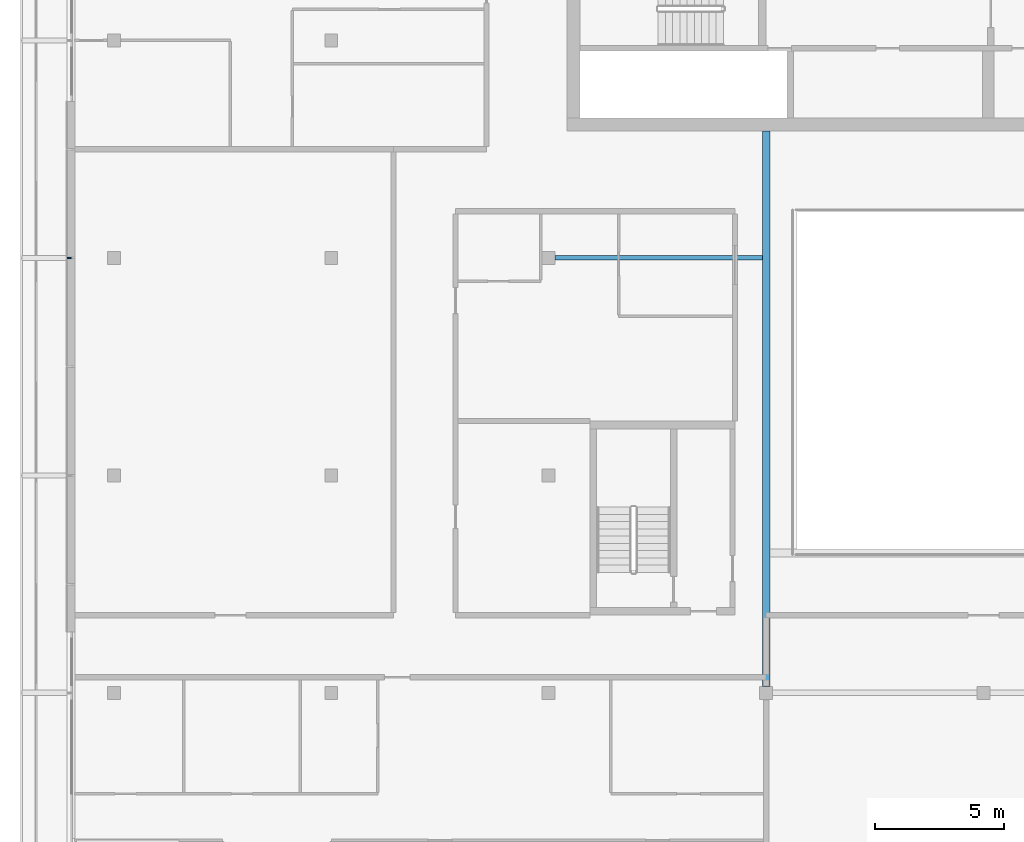
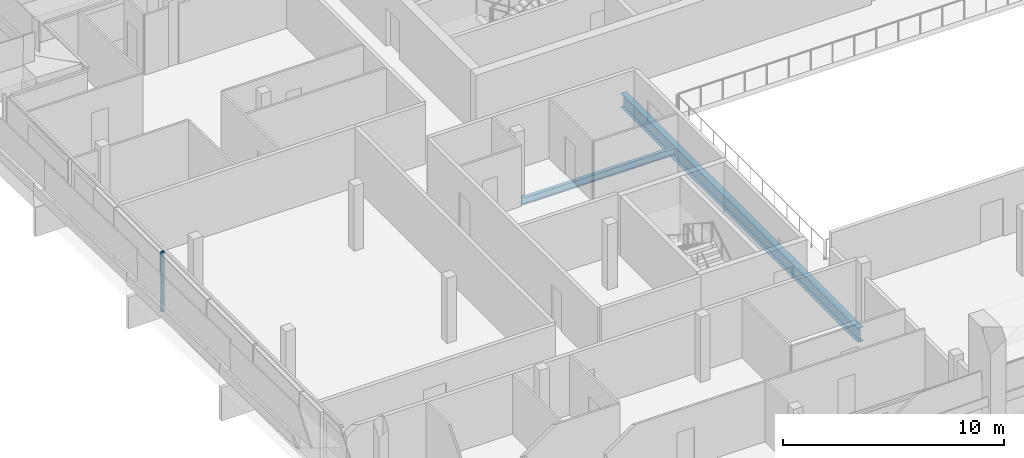
# One storey, part 4 of 33: 2 beams, 1 member, 1 element without a shape of its own.
"""IFC4 building model written with IfcOpenShell, lengths in metres."""

from ifc_helpers import new_model, si_unit, direction, frame, origin, origin_2d, place, context, subcontext, project, spatial, rectangle, i_section, extrude, material, material_profile, profile_set, type_object, element, aggregate, save


model = new_model("IFC4")

# Units and contexts
model_context = context("Model", 3, precision=1e-05, world=origin(), true_north=direction((0.0, 1.0)))
body_context = subcontext(model_context, "Body", "Model", "MODEL_VIEW")
ifc_project = project(units=[si_unit("LENGTHUNIT", "METRE"), si_unit("AREAUNIT", "SQUARE_METRE"), si_unit("VOLUMEUNIT", "CUBIC_METRE"), si_unit("PLANEANGLEUNIT", "RADIAN"), si_unit("MASSUNIT", "GRAM", prefix="KILO")], contexts=[model_context])

# Site, building, storey
site_placement = place(None, origin())
site = spatial("IfcSite", under=ifc_project, at=site_placement, CompositionType="ELEMENT")
building_placement = place(site_placement, origin())
building = spatial("IfcBuilding", under=site, at=building_placement, Name="Saffron Gate Tower", CompositionType="ELEMENT")
storey_placement = place(building_placement, frame((0.0, 0.0, 263.550048828125)))
storey = spatial("IfcBuildingStorey", under=building, at=storey_placement, Name="L63", CompositionType="ELEMENT", Elevation=263.550048828125)

# Beams
ifc_material_1 = material(Name="Structural steel S355", Category="steel")
ifc_material_profile_1 = material_profile(ifc_material_1, i_section(OverallWidth=0.300048828125, OverallDepth=0.7900390625, WebThickness=0.014892578125, FlangeThickness=0.028076171875, FilletRadius=0.030029296875, at=origin_2d()))
ifc_profile_set_1 = profile_set([ifc_material_profile_1], Name="Structural steel S355")
beam_type_1 = type_object("IfcBeamType", Name="B18 HEA 800", PredefinedType="BEAM", material=ifc_profile_set_1)
beam_1_placement = place(storey_placement, frame((75.0, 40.449951171875, -0.675048828125), z_axis=(0.0, 1.0, 0.0), x_axis=(-1.0, 0.0, 0.0)))
element("IfcBeam", 1, at=beam_1_placement, inside=storey, type_object=beam_type_1, Name="B18 ATRIUM GIRDER", PredefinedType="BEAM", context=body_context, shape_type="SweptSolid", body=[
    extrude(i_section(OverallWidth=0.300048828125, OverallDepth=0.7900390625, WebThickness=0.014892578125, FlangeThickness=0.028076171875, FilletRadius=0.030029296875, at=origin_2d()), origin(), (0.0, 0.0, 1.0), 21.449951171875),
])
ifc_material_profile_2 = material_profile(ifc_material_1, i_section(OverallWidth=0.179931640625, OverallDepth=0.39990234375, WebThickness=0.008544921875, FlangeThickness=0.013427734375, FilletRadius=0.02099609375, at=origin_2d()))
ifc_profile_set_2 = profile_set([ifc_material_profile_2], Name="Structural steel S355")
beam_type_2 = type_object("IfcBeamType", Name="B4 IPE 400", PredefinedType="BEAM", material=ifc_profile_set_2)
beam_2_placement = place(storey_placement, frame((66.85009765625, 57.0, -0.47998046875), z_axis=(1.0, 0.0, 0.0), x_axis=(0.0, 1.0, 0.0)))
element("IfcBeam", 2, at=beam_2_placement, inside=storey, type_object=beam_type_2, Name="B4 CORE TIE BEAM", PredefinedType="BEAM", context=body_context, shape_type="SweptSolid", body=[
    extrude(i_section(OverallWidth=0.179931640625, OverallDepth=0.39990234375, WebThickness=0.008544921875, FlangeThickness=0.013427734375, FilletRadius=0.02099609375, at=origin_2d()), origin(), (0.0, 0.0, 1.0), 8.0),
])

# Curtain wall, member
ifc_material_2 = material(Name="Aluminium, bronze anodised", Category="aluminium")
curtain_wall_type = type_object("IfcCurtainWallType", Name="CWS2 curtain wall side facades", PredefinedType="NOTDEFINED", material=ifc_material_2)
curtain_wall_placement = place(storey_placement, origin())
curtain_wall = element("IfcCurtainWall", 3, at=curtain_wall_placement, inside=storey, type_object=curtain_wall_type, Name="CWS2 run 10", PredefinedType="NOTDEFINED")
ifc_material_profile_3 = material_profile(ifc_material_2, rectangle(XDim=0.159912109375, YDim=0.06005859375, at=origin_2d()))
ifc_profile_set_3 = profile_set([ifc_material_profile_3], Name="Aluminium, bronze anodised")
member_type = type_object("IfcMemberType", Name="CWS2 mullion 60x160", PredefinedType="MULLION", material=ifc_profile_set_3)
member_placement = place(storey_placement, frame((48.080078125, 57.0, 0.0), z_axis=(0.0, 0.0, 1.0), x_axis=(1.0, 0.0, 0.0)))
member = element("IfcMember", 4, at=member_placement, type_object=member_type, Name="CWS2 mullion 3", PredefinedType="MULLION", context=body_context, shape_type="SweptSolid", body=[
    extrude(rectangle(XDim=0.159912109375, YDim=0.06005859375, at=origin_2d()), origin(), (0.0, 0.0, 1.0), 3.320068359375),
])
aggregate(curtain_wall, [member])

save(model, "model.ifc")
